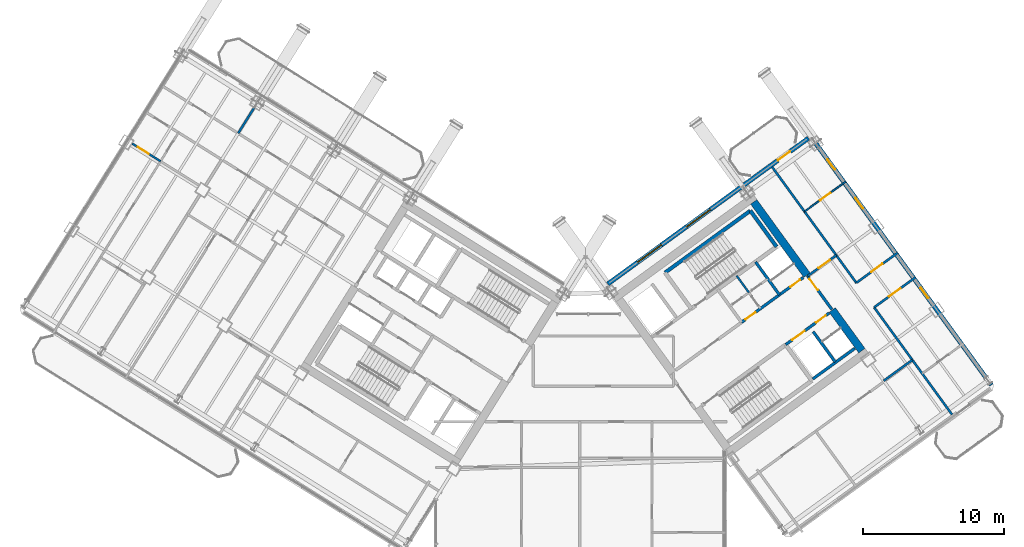
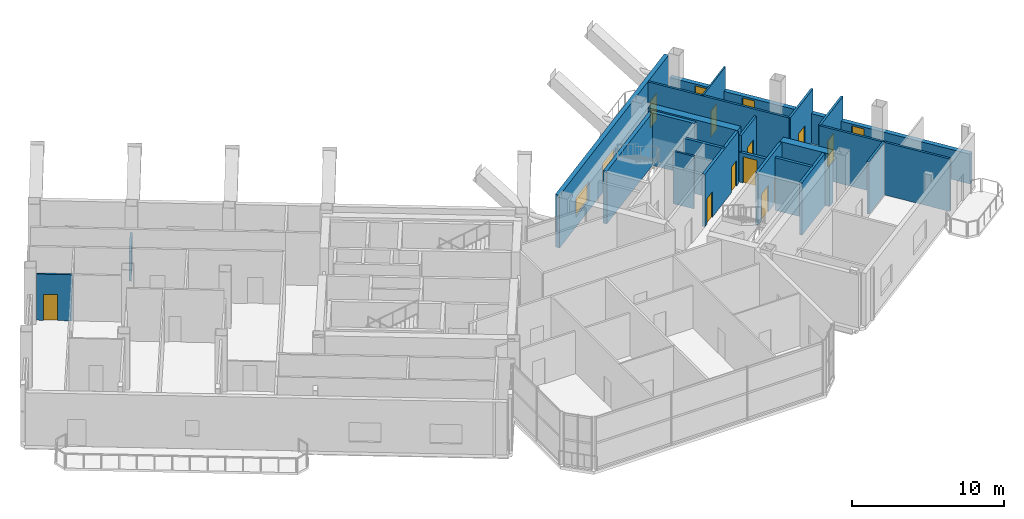
# One storey, part 26 of 34: 22 walls, 11 doors, 5 windows, 16 openings.
"""IFC4 building model written with IfcOpenShell, lengths in metres."""

from ifc_helpers import new_model, si_unit, direction, frame, frame_2d, origin, place, context, subcontext, project, spatial, rectangle, extrude, source, transform, mapped, material, layer, layer_set, type_object, element, fill, save


model = new_model("IFC4")

# Units and contexts
model_context = context("Model", 3, precision=1e-05, world=origin(), true_north=direction((0.0, 1.0)))
body_context = subcontext(model_context, "Body", "Model", "MODEL_VIEW")
ifc_project = project(units=[si_unit("LENGTHUNIT", "METRE"), si_unit("AREAUNIT", "SQUARE_METRE"), si_unit("VOLUMEUNIT", "CUBIC_METRE"), si_unit("PLANEANGLEUNIT", "RADIAN"), si_unit("MASSUNIT", "GRAM", prefix="KILO")], contexts=[model_context])

# Site, building, storey
site_placement = place(None, origin())
site = spatial("IfcSite", under=ifc_project, at=site_placement, CompositionType="ELEMENT")
building_placement = place(site_placement, origin())
building = spatial("IfcBuilding", under=site, at=building_placement, Name="Tlacorven Tower", CompositionType="ELEMENT")
storey_placement = place(building_placement, frame((0.0, 0.0, 174.89990234375)))
storey = spatial("IfcBuildingStorey", under=building, at=storey_placement, Name="L44", CompositionType="ELEMENT", Elevation=174.89990234375)

# Walls
ifc_material_1 = material(Name="Concrete C60/75", Category="concrete")
ifc_layer_1 = layer(ifc_material_1, 0.550048828125)
ifc_layer_set_1 = layer_set([ifc_layer_1], Name="Concrete C60/75")
wall_type_1 = type_object("IfcWallType", Name="WL-COR-550", PredefinedType="SHEAR", material=ifc_layer_set_1)
wall_1_placement = place(storey_placement, frame((61.9580078125, 20.453857421875, 0.0), z_axis=(0.0, 0.0, 1.0), x_axis=(-0.587802113096, 0.809004744015, 0.0)))
element("IfcWall", 1, at=wall_1_placement, inside=storey, type_object=wall_type_1, Name="L44 E core end wall E2.1", PredefinedType="SHEAR", context=body_context, shape_type="SweptSolid", body=[
    extrude(rectangle(XDim=3.574951171875, YDim=0.550048828125, at=frame_2d((1.78759765625, 0.0))), origin(), (0.0, 0.0, 1.0), 4.22021484375),
])
wall_2_placement = place(storey_placement, frame((58.06396484375, 25.8134765625, 0.0), z_axis=(0.0, 0.0, 1.0), x_axis=(-0.587764933797, 0.809031756236, 0.0)))
element("IfcWall", 2, at=wall_2_placement, inside=storey, type_object=wall_type_1, Name="L44 E core end wall E2.2", PredefinedType="SHEAR", context=body_context, shape_type="SweptSolid", body=[
    extrude(rectangle(XDim=6.425048828125, YDim=0.550048828125, at=frame_2d((3.21240234375, 0.0))), origin(), (0.0, 0.0, 1.0), 4.22021484375),
])
ifc_material_2 = material(Name="Gypsum plasterboard acoustic partition", Category="gypsum")
ifc_layer_2 = layer(ifc_material_2, 0.159912109375)
ifc_layer_set_2 = layer_set([ifc_layer_2], Name="Gypsum plasterboard acoustic partition")
wall_type_2 = type_object("IfcWallType", Name="WL-DEM-160", PredefinedType="PARTITIONING", material=ifc_layer_set_2)
wall_3_placement = place(storey_placement, frame((18.85205078125, 37.6865234375, 0.0), z_axis=(0.0, 0.0, 1.0), x_axis=(-0.529927092104, -0.84804320471, 0.0)))
element("IfcWall", 3, at=wall_3_placement, inside=storey, type_object=wall_type_2, Name="L44 partition 64", PredefinedType="PARTITIONING", context=body_context, shape_type="SweptSolid", body=[
    extrude(rectangle(XDim=2.13818359375, YDim=0.159912109375, at=frame_2d((1.069091796875, 0.0))), origin(), (0.0, 0.0, 1.0), 2.39501953125),
])
wall_4_placement = place(storey_placement, frame((63.5068359375, 18.322021484375, 0.0), z_axis=(0.0, 0.0, 1.0), x_axis=(0.809034604122, 0.587761013791, 0.0)))
element("IfcWall", 4, at=wall_4_placement, inside=storey, type_object=wall_type_2, Name="L44 partition 86", PredefinedType="PARTITIONING", context=body_context, shape_type="SweptSolid", body=[
    extrude(rectangle(XDim=2.510009765625, YDim=0.159912109375, at=frame_2d((1.2548828125, 0.0))), origin(), (0.0, 0.0, 1.0), 4.210205078125),
])

# Wall, opening, door
wall_5_placement = place(storey_placement, frame((58.111083984375, 25.748779296875, 0.0), z_axis=(0.0, 0.0, 1.0), x_axis=(0.809000999347, 0.58780726693, 0.0)))
wall_5 = element("IfcWall", 5, at=wall_5_placement, inside=storey, type_object=wall_type_2, Name="L44 partition 87", PredefinedType="PARTITIONING", context=body_context, shape_type="SweptSolid", body=[
    extrude(rectangle(XDim=2.510009765625, YDim=0.159912109375, at=frame_2d((1.2548828125, 0.0))), origin(), (0.0, 0.0, 1.0), 3.695068359375),
])
opening_1_placement = place(wall_5_placement, frame((0.949951171875, 0.0, 0.0)))
opening_1 = element("IfcOpeningElement", 6, at=opening_1_placement, cuts=wall_5, Name="Opening D11", PredefinedType="OPENING", context=body_context, shape_type="SweptSolid", body=[
    extrude(rectangle(XDim=1.0, YDim=2.10009765625, at=frame_2d((0.5, 1.050048828125))), frame((0.0, 0.08984375, 0.0), z_axis=(0.0, -1.0, 0.0), x_axis=(1.0, 0.0, 0.0)), (0.0, 0.0, 1.0), 0.179931640625),
])
ifc_material_3 = material(Name="Fire-rated steel door assembly", Category="steel")
door_type_1 = type_object("IfcDoorType", Name="DR-FLT-FD60-1000", OperationType="NOTDEFINED", PredefinedType="DOOR", material=ifc_material_3)
shared_shape_1 = source(origin(), body_context, "Body", "SweptSolid", [
    extrude(rectangle(XDim=1.0, YDim=2.10009765625, at=frame_2d((0.5, 1.050048828125))), frame((0.0, 0.02490234375, 0.0), z_axis=(0.0, -1.0, 0.0), x_axis=(1.0, 0.0, 0.0)), (0.0, 0.0, 1.0), 0.050048828125),
])
door_1_placement = place(opening_1_placement, origin())
door_1 = element("IfcDoor", 7, at=door_1_placement, inside=storey, type_object=door_type_1, Name="L44 door 055", OperationType="SINGLE_SWING_RIGHT", OverallHeight=2.10009765625, OverallWidth=1.0, PredefinedType="DOOR", context=body_context, shape_type="MappedRepresentation", body=[
    mapped(shared_shape_1, transform((0.0, 0.0, 0.0), scale=1.0)),
])
fill(opening_1, door_1)

# Walls
wall_6_placement = place(storey_placement, frame((68.35302734375, 15.922119140625, 0.0), z_axis=(0.0, 0.0, 1.0), x_axis=(-0.587784007866, 0.809017898502, 0.0)))
element("IfcWall", 8, at=wall_6_placement, inside=storey, type_object=wall_type_2, Name="L44 partition 88", PredefinedType="PARTITIONING", context=body_context, shape_type="SweptSolid", body=[
    extrude(rectangle(XDim=9.39990234375, YDim=0.159912109375, at=frame_2d((4.699951171875, 0.0))), origin(), (0.0, 0.0, 1.0), 4.210205078125),
])
wall_7_placement = place(storey_placement, frame((61.564208984375, 25.266357421875, 0.0), z_axis=(0.0, 0.0, 1.0), x_axis=(-0.587792629712, 0.809011634314, 0.0)))
element("IfcWall", 9, at=wall_7_placement, inside=storey, type_object=wall_type_2, Name="L44 partition 89", PredefinedType="PARTITIONING", context=body_context, shape_type="SweptSolid", body=[
    extrude(rectangle(XDim=10.14990234375, YDim=0.159912109375, at=frame_2d((5.074951171875, 0.0))), origin(), (0.0, 0.0, 1.0), 4.210205078125),
])

# Wall, opening, door
wall_8_placement = place(storey_placement, frame((62.827880859375, 23.52685546875, 0.0), z_axis=(0.0, 0.0, 1.0), x_axis=(0.809003564202, 0.587803736896, 0.0)))
wall_8 = element("IfcWall", 10, at=wall_8_placement, inside=storey, type_object=wall_type_2, Name="L44 partition 91", PredefinedType="PARTITIONING", context=body_context, shape_type="SweptSolid", body=[
    extrude(rectangle(XDim=3.630126953125, YDim=0.159912109375, at=frame_2d((1.81494140625, 0.0))), origin(), (0.0, 0.0, 1.0), 4.210205078125),
])
opening_2_placement = place(wall_8_placement, frame((1.304931640625, 0.0, 0.0)))
opening_2 = element("IfcOpeningElement", 11, at=opening_2_placement, cuts=wall_8, Name="Opening D11", PredefinedType="OPENING", context=body_context, shape_type="SweptSolid", body=[
    extrude(rectangle(XDim=1.0, YDim=2.10009765625, at=frame_2d((0.5, 1.050048828125))), frame((0.0, 0.08984375, 0.0), z_axis=(0.0, -1.0, 0.0), x_axis=(1.0, 0.0, 0.0)), (0.0, 0.0, 1.0), 0.179931640625),
])
door_2_placement = place(opening_2_placement, origin())
door_2 = element("IfcDoor", 12, at=door_2_placement, inside=storey, type_object=door_type_1, Name="L44 door 059", OperationType="SINGLE_SWING_RIGHT", OverallHeight=2.10009765625, OverallWidth=1.0, PredefinedType="DOOR", context=body_context, shape_type="MappedRepresentation", body=[
    mapped(shared_shape_1, transform((0.0, 0.0, 0.0), scale=1.0)),
])
fill(opening_2, door_2)

wall_9_placement = place(storey_placement, frame((61.564208984375, 25.266357421875, 0.0), z_axis=(0.0, 0.0, 1.0), x_axis=(0.809012309495, 0.587791700422, 0.0)))
wall_9 = element("IfcWall", 13, at=wall_9_placement, inside=storey, type_object=wall_type_2, Name="L44 partition 92", PredefinedType="PARTITIONING", context=body_context, shape_type="SweptSolid", body=[
    extrude(rectangle(XDim=3.6298828125, YDim=0.159912109375, at=frame_2d((1.81494140625, 0.0))), origin(), (0.0, 0.0, 1.0), 4.210205078125),
])
opening_3_placement = place(wall_9_placement, frame((1.304931640625, 0.0, 0.0)))
opening_3 = element("IfcOpeningElement", 14, at=opening_3_placement, cuts=wall_9, Name="Opening D11", PredefinedType="OPENING", context=body_context, shape_type="SweptSolid", body=[
    extrude(rectangle(XDim=1.0, YDim=2.10009765625, at=frame_2d((0.5, 1.050048828125))), frame((0.0, 0.08984375, 0.0), z_axis=(0.0, -1.0, 0.0), x_axis=(1.0, 0.0, 0.0)), (0.0, 0.0, 1.0), 0.179931640625),
])
door_3_placement = place(opening_3_placement, origin())
door_3 = element("IfcDoor", 15, at=door_3_placement, inside=storey, type_object=door_type_1, Name="L44 door 057", OperationType="SINGLE_SWING_RIGHT", OverallHeight=2.10009765625, OverallWidth=1.0, PredefinedType="DOOR", context=body_context, shape_type="MappedRepresentation", body=[
    mapped(shared_shape_1, transform((0.0, 0.0, 0.0), scale=1.0)),
])
fill(opening_3, door_3)

# Wall, openings, door, windows
ifc_material_4 = material(Name="Precast concrete C45/55", Category="concrete")
ifc_layer_3 = layer(ifc_material_4, 0.320068359375)
ifc_layer_set_3 = layer_set([ifc_layer_3], Name="Precast concrete C45/55")
wall_type_3 = type_object("IfcWallType", Name="WL-EXT-320", PredefinedType="STANDARD", material=ifc_layer_set_3)
wall_10_placement = place(storey_placement, frame((43.93798828125, 25.191650390625, 0.0), z_axis=(0.0, 0.0, 1.0), x_axis=(0.809016324578, 0.587786174187, 0.0)))
wall_10 = element("IfcWall", 16, at=wall_10_placement, inside=storey, type_object=wall_type_3, Name="L44 Masonry-Frame Recessed Facade Wall 4", PredefinedType="STANDARD", context=body_context, shape_type="SweptSolid", body=[
    extrude(rectangle(XDim=17.58740234375, YDim=0.320068359375, at=frame_2d((8.793701171875, 0.0))), origin(), (0.0, 0.0, 1.0), 4.22021484375),
])
opening_4_placement = place(wall_10_placement, frame((14.92626953125, 0.0, 0.0)))
opening_4 = element("IfcOpeningElement", 17, at=opening_4_placement, cuts=wall_10, Name="Opening D06", PredefinedType="OPENING", context=body_context, shape_type="SweptSolid", body=[
    extrude(rectangle(XDim=1.050048828125, YDim=2.14990234375, at=frame_2d((0.52490234375, 1.074951171875))), frame((0.0, 0.169921875, 0.0), z_axis=(0.0, -1.0, 0.0), x_axis=(1.0, 0.0, 0.0)), (0.0, 0.0, 1.0), 0.340087890625),
])
opening_5_placement = place(wall_10_placement, frame((2.606201171875, 0.0, 0.800048828125)))
opening_5 = element("IfcOpeningElement", 18, at=opening_5_placement, cuts=wall_10, Name="Opening WN04", PredefinedType="OPENING", context=body_context, shape_type="SweptSolid", body=[
    extrude(rectangle(XDim=2.10009765625, YDim=1.550048828125, at=frame_2d((1.050048828125, 0.77490234375))), frame((0.0, 0.169921875, 0.0), z_axis=(0.0, -1.0, 0.0), x_axis=(1.0, 0.0, 0.0)), (0.0, 0.0, 1.0), 0.340087890625),
])
opening_6_placement = place(wall_10_placement, frame((6.881103515625, 0.0, 0.800048828125)))
opening_6 = element("IfcOpeningElement", 19, at=opening_6_placement, cuts=wall_10, Name="Opening WN04", PredefinedType="OPENING", context=body_context, shape_type="SweptSolid", body=[
    extrude(rectangle(XDim=2.10009765625, YDim=1.550048828125, at=frame_2d((1.050048828125, 0.77490234375))), frame((0.0, 0.169921875, 0.0), z_axis=(0.0, -1.0, 0.0), x_axis=(1.0, 0.0, 0.0)), (0.0, 0.0, 1.0), 0.340087890625),
])
ifc_material_5 = material(Name="Powder-coated aluminium and timber door", Category="wood")
door_type_2 = type_object("IfcDoorType", Name="DR-EXT-BALC-1050", OperationType="NOTDEFINED", PredefinedType="DOOR", material=ifc_material_5)
shared_shape_2 = source(origin(), body_context, "Body", "SweptSolid", [
    extrude(rectangle(XDim=1.050048828125, YDim=2.14990234375, at=frame_2d((0.52490234375, 1.074951171875))), frame((0.0, 0.02490234375, 0.0), z_axis=(0.0, -1.0, 0.0), x_axis=(1.0, 0.0, 0.0)), (0.0, 0.0, 1.0), 0.050048828125),
])
door_4_placement = place(opening_4_placement, origin())
door_4 = element("IfcDoor", 20, at=door_4_placement, inside=storey, type_object=door_type_2, Name="L44 Outdoor Access Door BAL-L44-E-IN", OperationType="SINGLE_SWING_RIGHT", OverallHeight=2.14990234375, OverallWidth=1.050048828125, PredefinedType="DOOR", context=body_context, shape_type="MappedRepresentation", body=[
    mapped(shared_shape_2, transform((0.0, 0.0, 0.0), scale=1.0)),
])
fill(opening_4, door_4)
ifc_material_6 = material(Name="Dark solar low-E double glazing in anodised aluminium frame", Category="aluminium")
window_type_1 = type_object("IfcWindowType", Name="WN-APT-2100X1750", PartitioningType="SINGLE_PANEL", PredefinedType="WINDOW", material=ifc_material_6)
shared_shape_3 = source(origin(), body_context, "Body", "SweptSolid", [
    extrude(rectangle(XDim=2.10009765625, YDim=1.550048828125, at=frame_2d((1.050048828125, 0.77490234375))), frame((0.0, 0.030029296875, 0.0), z_axis=(0.0, -1.0, 0.0), x_axis=(1.0, 0.0, 0.0)), (0.0, 0.0, 1.0), 0.06005859375),
])
window_1_placement = place(opening_5_placement, origin())
window_1 = element("IfcWindow", 21, at=window_1_placement, inside=storey, type_object=window_type_1, Name="L44 Recessed Masonry-Frame Window L44-04.1", OverallHeight=1.550048828125, OverallWidth=2.10009765625, PartitioningType="SINGLE_PANEL", PredefinedType="WINDOW", context=body_context, shape_type="MappedRepresentation", body=[
    mapped(shared_shape_3, transform((0.0, 0.0, 0.0), scale=1.0)),
])
fill(opening_5, window_1)
window_2_placement = place(opening_6_placement, origin())
window_2 = element("IfcWindow", 22, at=window_2_placement, inside=storey, type_object=window_type_1, Name="L44 Recessed Masonry-Frame Window L44-04.2", OverallHeight=1.550048828125, OverallWidth=2.10009765625, PartitioningType="SINGLE_PANEL", PredefinedType="WINDOW", context=body_context, shape_type="MappedRepresentation", body=[
    mapped(shared_shape_3, transform((0.0, 0.0, 0.0), scale=1.0)),
])
fill(opening_6, window_2)

# Wall, openings, windows
wall_11_placement = place(storey_placement, frame((58.45458984375, 35.483642578125, 0.0), z_axis=(0.0, 0.0, 1.0), x_axis=(0.587783625747, -0.809018176127, 0.0)))
wall_11 = element("IfcWall", 23, at=wall_11_placement, inside=storey, type_object=wall_type_3, Name="L44 Masonry-Frame Recessed Facade Wall 5", PredefinedType="STANDARD", context=body_context, shape_type="SweptSolid", body=[
    extrude(rectangle(XDim=21.58740234375, YDim=0.320068359375, at=frame_2d((10.793701171875, 0.0))), origin(), (0.0, 0.0, 1.0), 2.39501953125),
])
opening_7_placement = place(wall_11_placement, frame((1.80712890625, 0.0, 1.0)))
opening_7 = element("IfcOpeningElement", 24, at=opening_7_placement, cuts=wall_11, Name="Opening WN05", PredefinedType="OPENING", context=body_context, shape_type="SweptSolid", body=[
    extrude(rectangle(XDim=0.89990234375, YDim=1.25, at=frame_2d((0.449951171875, 0.625))), frame((0.0, 0.169921875, 0.0), z_axis=(0.0, -1.0, 0.0), x_axis=(1.0, 0.0, 0.0)), (0.0, 0.0, 1.0), 0.340087890625),
])
opening_8_placement = place(wall_11_placement, frame((5.1953125, 0.0, 1.0)))
opening_8 = element("IfcOpeningElement", 25, at=opening_8_placement, cuts=wall_11, Name="Opening WN05", PredefinedType="OPENING", context=body_context, shape_type="SweptSolid", body=[
    extrude(rectangle(XDim=0.89990234375, YDim=1.25, at=frame_2d((0.449951171875, 0.625))), frame((0.0, 0.169921875, 0.0), z_axis=(0.0, -1.0, 0.0), x_axis=(1.0, 0.0, 0.0)), (0.0, 0.0, 1.0), 0.340087890625),
])
opening_9_placement = place(wall_11_placement, frame((13.05859375, 0.0, 1.0)))
opening_9 = element("IfcOpeningElement", 26, at=opening_9_placement, cuts=wall_11, Name="Opening WN05", PredefinedType="OPENING", context=body_context, shape_type="SweptSolid", body=[
    extrude(rectangle(XDim=0.89990234375, YDim=1.25, at=frame_2d((0.449951171875, 0.625))), frame((0.0, 0.169921875, 0.0), z_axis=(0.0, -1.0, 0.0), x_axis=(1.0, 0.0, 0.0)), (0.0, 0.0, 1.0), 0.340087890625),
])
window_type_2 = type_object("IfcWindowType", Name="WN-APT-0900X1350", PartitioningType="SINGLE_PANEL", PredefinedType="WINDOW", material=ifc_material_6)
shared_shape_4 = source(origin(), body_context, "Body", "SweptSolid", [
    extrude(rectangle(XDim=0.89990234375, YDim=1.25, at=frame_2d((0.449951171875, 0.625))), frame((0.0, 0.030029296875, 0.0), z_axis=(0.0, -1.0, 0.0), x_axis=(1.0, 0.0, 0.0)), (0.0, 0.0, 1.0), 0.06005859375),
])
window_3_placement = place(opening_7_placement, origin())
window_3 = element("IfcWindow", 27, at=window_3_placement, inside=storey, type_object=window_type_2, Name="L44 Recessed Masonry-Frame Window L44-05.1", OverallHeight=1.25, OverallWidth=0.89990234375, PartitioningType="SINGLE_PANEL", PredefinedType="WINDOW", context=body_context, shape_type="MappedRepresentation", body=[
    mapped(shared_shape_4, transform((0.0, 0.0, 0.0), scale=1.0)),
])
fill(opening_7, window_3)
window_4_placement = place(opening_8_placement, origin())
window_4 = element("IfcWindow", 28, at=window_4_placement, inside=storey, type_object=window_type_2, Name="L44 Recessed Masonry-Frame Window L44-05.2", OverallHeight=1.25, OverallWidth=0.89990234375, PartitioningType="SINGLE_PANEL", PredefinedType="WINDOW", context=body_context, shape_type="MappedRepresentation", body=[
    mapped(shared_shape_4, transform((0.0, 0.0, 0.0), scale=1.0)),
])
fill(opening_8, window_4)
window_5_placement = place(opening_9_placement, origin())
window_5 = element("IfcWindow", 29, at=window_5_placement, inside=storey, type_object=window_type_2, Name="L44 Recessed Masonry-Frame Window L44-05.3", OverallHeight=1.25, OverallWidth=0.89990234375, PartitioningType="SINGLE_PANEL", PredefinedType="WINDOW", context=body_context, shape_type="MappedRepresentation", body=[
    mapped(shared_shape_4, transform((0.0, 0.0, 0.0), scale=1.0)),
])
fill(opening_9, window_5)

# Wall, opening, door
ifc_material_7 = material(Name="Gypsum plasterboard partition", Category="gypsum")
ifc_layer_4 = layer(ifc_material_7, 0.110107421875)
ifc_layer_set_4 = layer_set([ifc_layer_4], Name="Gypsum plasterboard partition")
wall_type_4 = type_object("IfcWallType", Name="WL-INT-110", PredefinedType="PARTITIONING", material=ifc_layer_set_4)
wall_12_placement = place(storey_placement, frame((57.88916015625, 30.32421875, 0.0), z_axis=(0.0, 0.0, 1.0), x_axis=(0.809005039917, 0.58780170584, 0.0)))
wall_12 = element("IfcWall", 30, at=wall_12_placement, inside=storey, type_object=wall_type_4, Name="L44 partition 93", PredefinedType="PARTITIONING", context=body_context, shape_type="SweptSolid", body=[
    extrude(rectangle(XDim=3.610107421875, YDim=0.110107421875, at=frame_2d((1.80517578125, 0.0))), origin(), (0.0, 0.0, 1.0), 4.210205078125),
])
opening_10_placement = place(wall_12_placement, frame((1.344970703125, 0.0, 0.0)))
opening_10 = element("IfcOpeningElement", 31, at=opening_10_placement, cuts=wall_12, Name="Opening D12", PredefinedType="OPENING", context=body_context, shape_type="SweptSolid", body=[
    extrude(rectangle(XDim=0.919921875, YDim=2.080078125, at=frame_2d((0.4599609375, 1.0400390625))), frame((0.0, 0.06494140625, 0.0), z_axis=(0.0, -1.0, 0.0), x_axis=(1.0, 0.0, 0.0)), (0.0, 0.0, 1.0), 0.130126953125),
])
door_type_3 = type_object("IfcDoorType", Name="DR-INT-ROOM-0920", OperationType="NOTDEFINED", PredefinedType="DOOR", material=ifc_material_5)
shared_shape_5 = source(origin(), body_context, "Body", "SweptSolid", [
    extrude(rectangle(XDim=0.919921875, YDim=2.080078125, at=frame_2d((0.4599609375, 1.0400390625))), frame((0.0, 0.02490234375, 0.0), z_axis=(0.0, -1.0, 0.0), x_axis=(1.0, 0.0, 0.0)), (0.0, 0.0, 1.0), 0.050048828125),
])
door_5_placement = place(opening_10_placement, origin())
door_5 = element("IfcDoor", 32, at=door_5_placement, inside=storey, type_object=door_type_3, Name="L44 door 058", OperationType="SINGLE_SWING_LEFT", OverallHeight=2.080078125, OverallWidth=0.919921875, PredefinedType="DOOR", context=body_context, shape_type="MappedRepresentation", body=[
    mapped(shared_shape_5, transform((0.0, 0.0, 0.0), scale=1.0)),
])
fill(opening_10, door_5)

# Wall
ifc_material_8 = material(Name="Moisture-resistant gypsum plumbing wall", Category="gypsum")
ifc_layer_5 = layer(ifc_material_8, 0.139892578125)
ifc_layer_set_5 = layer_set([ifc_layer_5], Name="Moisture-resistant gypsum plumbing wall")
wall_type_5 = type_object("IfcWallType", Name="WL-PLM-140", PredefinedType="PLUMBINGWALL", material=ifc_layer_set_5)
wall_13_placement = place(storey_placement, frame((53.94482421875, 24.575927734375, 0.0), z_axis=(0.0, 0.0, 1.0), x_axis=(-0.587897037186, 0.808935766095, 0.0)))
element("IfcWall", 33, at=wall_13_placement, inside=storey, type_object=wall_type_5, Name="L44 partition 43", PredefinedType="PLUMBINGWALL", context=body_context, shape_type="SweptSolid", body=[
    extrude(rectangle(XDim=1.47998046875, YDim=0.139892578125, at=frame_2d((0.739990234375, 0.0))), origin(), (0.0, 0.0, 1.0), 4.210205078125),
])

# Wall, opening, door
wall_14_placement = place(storey_placement, frame((12.214111328125, 33.88916015625, 0.0), z_axis=(0.0, 0.0, 1.0), x_axis=(-0.848056217259, 0.529906267531, 0.0)))
wall_14 = element("IfcWall", 34, at=wall_14_placement, inside=storey, type_object=wall_type_5, Name="L44 partition 60", PredefinedType="PLUMBINGWALL", context=body_context, shape_type="SweptSolid", body=[
    extrude(rectangle(XDim=2.3681640625, YDim=0.139892578125, at=frame_2d((1.18408203125, 0.0))), origin(), (0.0, 0.0, 1.0), 3.695068359375),
])
opening_11_placement = place(wall_14_placement, frame((0.989990234375, 0.0, 0.0)))
opening_11 = element("IfcOpeningElement", 35, at=opening_11_placement, cuts=wall_14, Name="Opening D12", PredefinedType="OPENING", context=body_context, shape_type="SweptSolid", body=[
    extrude(rectangle(XDim=0.919921875, YDim=2.080078125, at=frame_2d((0.4599609375, 1.0400390625))), frame((0.0, 0.080078125, 0.0), z_axis=(0.0, -1.0, 0.0), x_axis=(1.0, 0.0, 0.0)), (0.0, 0.0, 1.0), 0.159912109375),
])
door_6_placement = place(opening_11_placement, origin())
door_6 = element("IfcDoor", 36, at=door_6_placement, inside=storey, type_object=door_type_3, Name="L44 door 032", OperationType="SINGLE_SWING_LEFT", OverallHeight=2.080078125, OverallWidth=0.919921875, PredefinedType="DOOR", context=body_context, shape_type="MappedRepresentation", body=[
    mapped(shared_shape_5, transform((0.0, 0.0, 0.0), scale=1.0)),
])
fill(opening_11, door_6)

# Wall, openings, doors
ifc_material_9 = material(Name="Concrete C40/50", Category="concrete")
ifc_layer_6 = layer(ifc_material_9, 0.199951171875)
ifc_layer_set_6 = layer_set([ifc_layer_6], Name="Concrete C40/50")
wall_type_6 = type_object("IfcWallType", Name="WL-SHF-200", PredefinedType="STANDARD", material=ifc_layer_set_6)
wall_15_placement = place(storey_placement, frame((56.552978515625, 20.884033203125, 0.0), z_axis=(0.0, 0.0, 1.0), x_axis=(0.809023564264, 0.58777620951, 0.0)))
wall_15 = element("IfcWall", 37, at=wall_15_placement, inside=storey, type_object=wall_type_6, Name="L44 Core E South Lift Shaft Wall", PredefinedType="STANDARD", context=body_context, shape_type="SweptSolid", body=[
    extrude(rectangle(XDim=3.818115234375, YDim=0.199951171875, at=frame_2d((1.9091796875, 0.0))), origin(), (0.0, 0.0, 1.0), 4.210205078125),
])
opening_12_placement = place(wall_15_placement, frame((0.570068359375, 0.0, 0.0)))
opening_12 = element("IfcOpeningElement", 38, at=opening_12_placement, cuts=wall_15, Name="Opening LD01", PredefinedType="OPENING", context=body_context, shape_type="SweptSolid", body=[
    extrude(rectangle(XDim=1.10009765625, YDim=2.14990234375, at=frame_2d((0.550048828125, 1.074951171875))), frame((0.0, 0.10986328125, 0.0), z_axis=(0.0, -1.0, 0.0), x_axis=(1.0, 0.0, 0.0)), (0.0, 0.0, 1.0), 0.219970703125),
])
opening_13_placement = place(wall_15_placement, frame((2.64990234375, 0.0, 0.0)))
opening_13 = element("IfcOpeningElement", 39, at=opening_13_placement, cuts=wall_15, Name="Opening D19", PredefinedType="OPENING", context=body_context, shape_type="SweptSolid", body=[
    extrude(rectangle(XDim=0.860107421875, YDim=2.050048828125, at=frame_2d((0.43017578125, 1.02490234375))), frame((0.0, 0.10986328125, 0.0), z_axis=(0.0, -1.0, 0.0), x_axis=(1.0, 0.0, 0.0)), (0.0, 0.0, 1.0), 0.219970703125),
])
door_type_4 = type_object("IfcDoorType", Name="DR-RSR-FD60-0860", OperationType="NOTDEFINED", PredefinedType="DOOR", material=ifc_material_3)
shared_shape_6 = source(origin(), body_context, "Body", "SweptSolid", [
    extrude(rectangle(XDim=0.860107421875, YDim=2.050048828125, at=frame_2d((0.43017578125, 1.02490234375))), frame((0.0, 0.02490234375, 0.0), z_axis=(0.0, -1.0, 0.0), x_axis=(1.0, 0.0, 0.0)), (0.0, 0.0, 1.0), 0.050048828125),
])
door_7_placement = place(opening_13_placement, origin())
door_7 = element("IfcDoor", 40, at=door_7_placement, inside=storey, type_object=door_type_4, Name="L44 Smoke Extract Riser Access Door", OperationType="SINGLE_SWING_LEFT", OverallHeight=2.050048828125, OverallWidth=0.860107421875, PredefinedType="DOOR", context=body_context, shape_type="MappedRepresentation", body=[
    mapped(shared_shape_6, transform((0.0, 0.0, 0.0), scale=1.0)),
])
fill(opening_13, door_7)
door_type_5 = type_object("IfcDoorType", Name="DR-LFT-SLID-1100", OperationType="DOUBLE_DOOR_SLIDING", PredefinedType="DOOR", material=ifc_material_3)
shared_shape_7 = source(origin(), body_context, "Body", "SweptSolid", [
    extrude(rectangle(XDim=1.10009765625, YDim=2.14990234375, at=frame_2d((0.550048828125, 1.074951171875))), frame((0.0, 0.02490234375, 0.0), z_axis=(0.0, -1.0, 0.0), x_axis=(1.0, 0.0, 0.0)), (0.0, 0.0, 1.0), 0.050048828125),
])
door_8_placement = place(opening_12_placement, origin())
door_8 = element("IfcDoor", 41, at=door_8_placement, inside=storey, type_object=door_type_5, Name="L44 Lift PL-M4 Sliding Landing Door", OperationType="DOUBLE_DOOR_SLIDING", OverallHeight=2.14990234375, OverallWidth=1.10009765625, PredefinedType="DOOR", context=body_context, shape_type="MappedRepresentation", body=[
    mapped(shared_shape_7, transform((0.0, 0.0, 0.0), scale=1.0)),
])
fill(opening_12, door_8)

# Walls
wall_16_placement = place(storey_placement, frame((60.066650390625, 19.654541015625, 0.0), z_axis=(0.0, 0.0, 1.0), x_axis=(-0.587800520745, 0.809005900975, 0.0)))
element("IfcWall", 42, at=wall_16_placement, inside=storey, type_object=wall_type_6, Name="L44 partition 35", PredefinedType="STANDARD", context=body_context, shape_type="SweptSolid", body=[
    extrude(rectangle(XDim=2.659912109375, YDim=0.199951171875, at=frame_2d((1.330078125, 0.0))), origin(), (0.0, 0.0, 1.0), 4.210205078125),
])
wall_17_placement = place(storey_placement, frame((58.47216796875, 18.446533203125, 0.0), z_axis=(0.0, 0.0, 1.0), x_axis=(0.809018631237, 0.587782999339, 0.0)))
element("IfcWall", 43, at=wall_17_placement, inside=storey, type_object=wall_type_6, Name="L44 partition 37", PredefinedType="STANDARD", context=body_context, shape_type="SweptSolid", body=[
    extrude(rectangle(XDim=3.697998046875, YDim=0.199951171875, at=frame_2d((1.84912109375, 0.0))), origin(), (0.0, 0.0, 1.0), 4.210205078125),
])
wall_18_placement = place(storey_placement, frame((56.110595703125, 24.4189453125, 0.0), z_axis=(0.0, 0.0, 1.0), x_axis=(-0.58777848983, 0.809021907548, 0.0)))
element("IfcWall", 44, at=wall_18_placement, inside=storey, type_object=wall_type_6, Name="L44 partition 40", PredefinedType="STANDARD", context=body_context, shape_type="SweptSolid", body=[
    extrude(rectangle(XDim=2.880126953125, YDim=0.199951171875, at=frame_2d((1.43994140625, 0.0))), origin(), (0.0, 0.0, 1.0), 4.210205078125),
])

# Wall, openings, doors
wall_19_placement = place(storey_placement, frame((53.424560546875, 22.467529296875, 0.0), z_axis=(0.0, 0.0, 1.0), x_axis=(0.809024377198, 0.587775090574, 0.0)))
wall_19 = element("IfcWall", 45, at=wall_19_placement, inside=storey, type_object=wall_type_6, Name="L44 Core E North Service Wall", PredefinedType="STANDARD", context=body_context, shape_type="SweptSolid", body=[
    extrude(rectangle(XDim=5.41796875, YDim=0.199951171875, at=frame_2d((2.708984375, 0.0))), origin(), (0.0, 0.0, 1.0), 4.210205078125),
])
opening_14_placement = place(wall_19_placement, frame((4.280029296875, 0.0, 0.0)))
opening_14 = element("IfcOpeningElement", 46, at=opening_14_placement, cuts=wall_19, Name="Opening D19", PredefinedType="OPENING", context=body_context, shape_type="SweptSolid", body=[
    extrude(rectangle(XDim=0.860107421875, YDim=2.050048828125, at=frame_2d((0.43017578125, 1.02490234375))), frame((0.0, 0.10986328125, 0.0), z_axis=(0.0, -1.0, 0.0), x_axis=(1.0, 0.0, 0.0)), (0.0, 0.0, 1.0), 0.219970703125),
])
opening_15_placement = place(wall_19_placement, frame((0.35009765625, 0.0, 0.0)))
opening_15 = element("IfcOpeningElement", 47, at=opening_15_placement, cuts=wall_19, Name="Opening D19", PredefinedType="OPENING", context=body_context, shape_type="SweptSolid", body=[
    extrude(rectangle(XDim=0.860107421875, YDim=2.050048828125, at=frame_2d((0.43017578125, 1.02490234375))), frame((0.0, 0.10986328125, 0.0), z_axis=(0.0, -1.0, 0.0), x_axis=(1.0, 0.0, 0.0)), (0.0, 0.0, 1.0), 0.219970703125),
])
door_9_placement = place(opening_14_placement, frame((0.860107421875, 0.0, 0.0), z_axis=(0.0, 0.0, 1.0), x_axis=(-1.0, 0.0, 0.0)))
door_9 = element("IfcDoor", 48, at=door_9_placement, inside=storey, type_object=door_type_4, Name="L44 Electrical Riser Access Door E", OperationType="SINGLE_SWING_RIGHT", OverallHeight=2.050048828125, OverallWidth=0.860107421875, PredefinedType="DOOR", context=body_context, shape_type="MappedRepresentation", body=[
    mapped(shared_shape_6, transform((0.0, 0.0, 0.0), scale=1.0)),
])
fill(opening_14, door_9)
door_10_placement = place(opening_15_placement, frame((0.860107421875, 0.0, 0.0), z_axis=(0.0, 0.0, 1.0), x_axis=(-1.0, 0.0, 0.0)))
door_10 = element("IfcDoor", 49, at=door_10_placement, inside=storey, type_object=door_type_4, Name="L44 Cleaning Room Access Door E", OperationType="SINGLE_SWING_LEFT", OverallHeight=2.050048828125, OverallWidth=0.860107421875, PredefinedType="DOOR", context=body_context, shape_type="MappedRepresentation", body=[
    mapped(shared_shape_6, transform((0.0, 0.0, 0.0), scale=1.0)),
])
fill(opening_15, door_10)

# Wall, opening, door
wall_20_placement = place(storey_placement, frame((59.827392578125, 23.386474609375, 0.0), z_axis=(0.0, 0.0, 1.0), x_axis=(-0.587803840107, 0.809003489211, 0.0)))
wall_20 = element("IfcWall", 50, at=wall_20_placement, inside=storey, type_object=wall_type_6, Name="L44 partition 85", PredefinedType="STANDARD", context=body_context, shape_type="SweptSolid", body=[
    extrude(rectangle(XDim=2.960205078125, YDim=0.199951171875, at=frame_2d((1.47998046875, 0.0))), origin(), (0.0, 0.0, 1.0), 2.39501953125),
])
opening_16_placement = place(wall_20_placement, frame((1.679931640625, 0.0, 0.0)))
opening_16 = element("IfcOpeningElement", 51, at=opening_16_placement, cuts=wall_20, Name="Opening D11", PredefinedType="OPENING", context=body_context, shape_type="SweptSolid", body=[
    extrude(rectangle(XDim=1.0, YDim=2.10009765625, at=frame_2d((0.5, 1.050048828125))), frame((0.0, 0.10986328125, 0.0), z_axis=(0.0, -1.0, 0.0), x_axis=(1.0, 0.0, 0.0)), (0.0, 0.0, 1.0), 0.219970703125),
])
door_11_placement = place(opening_16_placement, origin())
door_11 = element("IfcDoor", 52, at=door_11_placement, inside=storey, type_object=door_type_1, Name="L44 door 056", OperationType="SINGLE_SWING_LEFT", OverallHeight=2.10009765625, OverallWidth=1.0, PredefinedType="DOOR", context=body_context, shape_type="MappedRepresentation", body=[
    mapped(shared_shape_1, transform((0.0, 0.0, 0.0), scale=1.0)),
])
fill(opening_16, door_11)

# Walls
ifc_material_10 = material(Name="Concrete C50/60", Category="concrete")
ifc_layer_7 = layer(ifc_material_10, 0.260009765625)
ifc_layer_set_7 = layer_set([ifc_layer_7], Name="Concrete C50/60")
wall_type_7 = type_object("IfcWallType", Name="WL-STW-260", PredefinedType="SHEAR", material=ifc_layer_set_7)
wall_21_placement = place(storey_placement, frame((48.005615234375, 25.996337890625, 0.0), z_axis=(0.0, 0.0, 1.0), x_axis=(0.80901903764, 0.587782439969, 0.0)))
element("IfcWall", 53, at=wall_21_placement, inside=storey, type_object=wall_type_7, Name="L44 Stair E1 Far Shear Wall", PredefinedType="SHEAR", context=body_context, shape_type="SweptSolid", body=[
    extrude(rectangle(XDim=7.4599609375, YDim=0.260009765625, at=frame_2d((3.72998046875, 0.0))), origin(), (0.0, 0.0, 1.0), 4.22021484375),
])
wall_22_placement = place(storey_placement, frame((55.906494140625, 27.83056640625, 0.0), z_axis=(0.0, 0.0, 1.0), x_axis=(-0.587804123638, 0.809003283204, 0.0)))
element("IfcWall", 54, at=wall_22_placement, inside=storey, type_object=wall_type_7, Name="L44 Stair E1 East Shear Wall", PredefinedType="SHEAR", context=body_context, shape_type="SweptSolid", body=[
    extrude(rectangle(XDim=3.159912109375, YDim=0.260009765625, at=frame_2d((1.580078125, 0.0))), origin(), (0.0, 0.0, 1.0), 4.22021484375),
])

save(model, "model.ifc")
